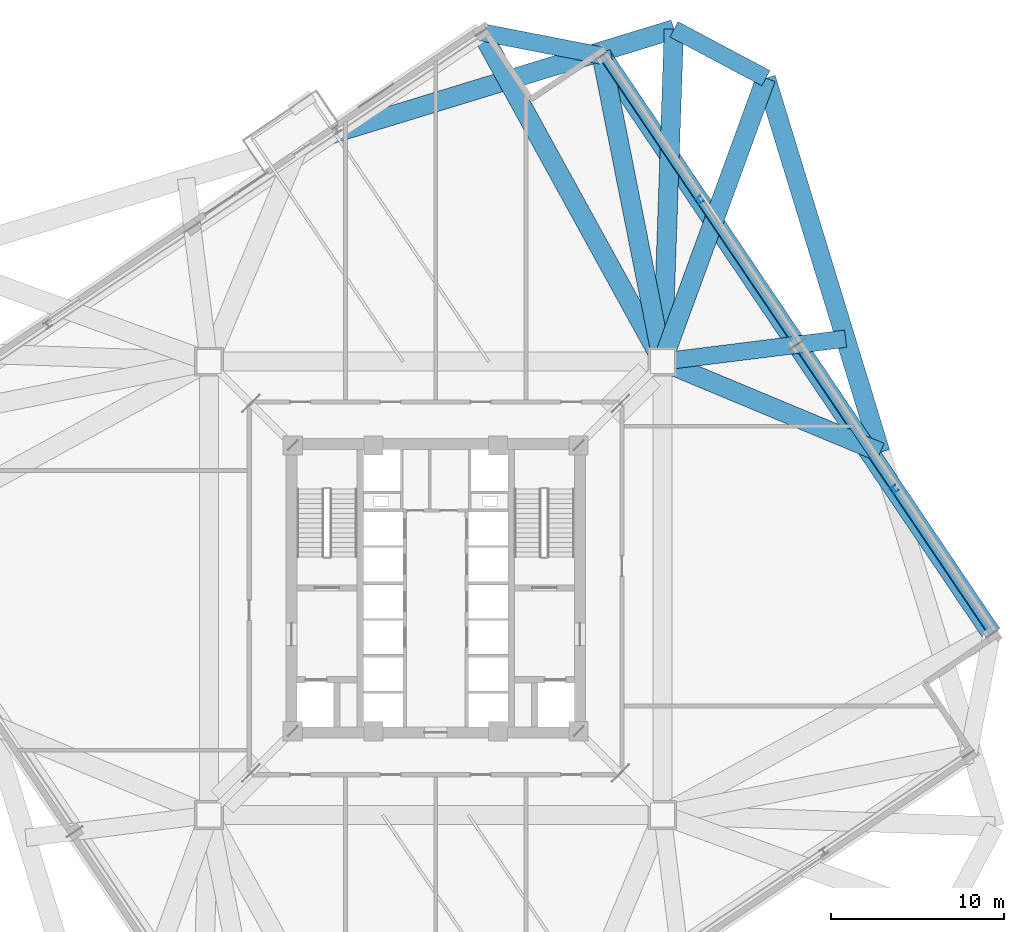
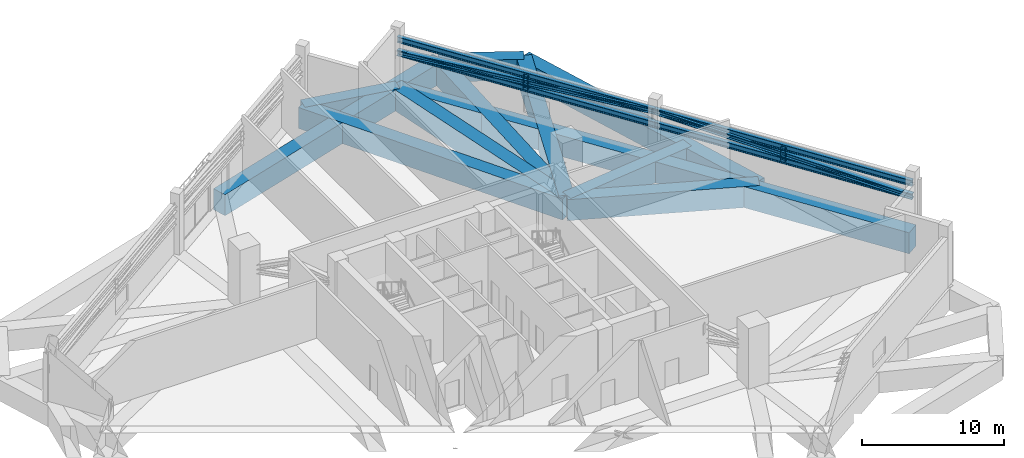
# One storey, part 10 of 21: 12 beams, 8 members.
"""IFC4 building model written with IfcOpenShell, lengths in metres."""

from ifc_helpers import new_model, si_unit, direction, frame, origin, origin_2d, place, context, subcontext, project, spatial, rectangle, i_section, extrude, source, transform, mapped, material, material_profile, profile_set, type_object, element, save


model = new_model("IFC4")

# Units and contexts
model_context = context("Model", 3, precision=1e-05, world=origin(), true_north=direction((0.0, 1.0)))
body_context = subcontext(model_context, "Body", "Model", "MODEL_VIEW")
ifc_project = project(units=[si_unit("LENGTHUNIT", "METRE"), si_unit("AREAUNIT", "SQUARE_METRE"), si_unit("VOLUMEUNIT", "CUBIC_METRE"), si_unit("PLANEANGLEUNIT", "RADIAN"), si_unit("MASSUNIT", "GRAM", prefix="KILO"), si_unit("THERMODYNAMICTEMPERATUREUNIT", "KELVIN")], contexts=[model_context])

# Site, building, storey
site_placement = place(None, origin())
site = spatial("IfcSite", under=ifc_project, at=site_placement, CompositionType="ELEMENT")
building_placement = place(site_placement, origin())
building = spatial("IfcBuilding", under=site, at=building_placement, Name="Kosmvard Interchange Tower", CompositionType="ELEMENT")
storey_placement = place(building_placement, frame((0.0, 0.0, 139.199951171875)))
storey = spatial("IfcBuildingStorey", under=building, at=storey_placement, Name="L33", CompositionType="ELEMENT", Elevation=139.199951171875)

# Beams
ifc_material_1 = material(Name="Concrete C60/75", Category="concrete")
ifc_material_profile_1 = material_profile(ifc_material_1, rectangle(XDim=1.1201171875, YDim=1.800048828125, at=origin_2d()), Name="TG 1120x1800")
ifc_profile_set_1 = profile_set([ifc_material_profile_1], Name="Concrete C60/75")
beam_type_1 = type_object("IfcBeamType", Name="Zone Long-Span Transfer Girder 1120x1800 C60/75", PredefinedType="USERDEFINED", material=ifc_profile_set_1)
shared_shape_1 = source(origin(), body_context, "Body", "SweptSolid", [
    extrude(rectangle(XDim=1.1201171875, YDim=1.800048828125, at=origin_2d()), origin(), (0.0, 0.0, 1.0), 19.18359375),
])
beam_1_placement = place(storey_placement, frame((13.0810546875, 13.0810546875, -0.89990234375), z_axis=(0.034641549738, 0.999399801397, 0.0), x_axis=(-0.999399801397, 0.034641549738, 0.0)))
element("IfcBeam", 1, at=beam_1_placement, inside=storey, type_object=beam_type_1, Name="BM-L33-LD07", ObjectType="TRANSFER_GIRDER", PredefinedType="USERDEFINED", context=body_context, shape_type="MappedRepresentation", body=[
    mapped(shared_shape_1, transform((0.0, 0.0, 0.0), scale=1.0)),
])
shared_shape_2 = source(origin(), body_context, "Body", "SweptSolid", [
    extrude(rectangle(XDim=1.1201171875, YDim=1.800048828125, at=origin_2d()), origin(), (0.0, 0.0, 1.0), 22.57470703125),
])
beam_2_placement = place(storey_placement, frame((13.74560546875, 32.253173828125, -0.89990234375), z_axis=(-0.956303368768, -0.292376241995, 0.0), x_axis=(0.292376241995, -0.956303368768, 0.0)))
element("IfcBeam", 2, at=beam_2_placement, inside=storey, type_object=beam_type_1, Name="BM-L33-LR07", ObjectType="TRANSFER_GIRDER", PredefinedType="USERDEFINED", context=body_context, shape_type="MappedRepresentation", body=[
    mapped(shared_shape_2, transform((0.0, 0.0, 0.0), scale=1.0)),
])
shared_shape_3 = source(origin(), body_context, "Body", "SweptSolid", [
    extrude(rectangle(XDim=1.1201171875, YDim=1.800048828125, at=origin_2d()), origin(), (0.0, 0.0, 1.0), 22.574951171875),
])
beam_3_placement = place(storey_placement, frame((25.65283203125, 7.8427734375, -0.89990234375), z_axis=(-0.292373218222, 0.956304293239, 0.0), x_axis=(-0.956304293239, -0.292373218222, 0.0)))
element("IfcBeam", 3, at=beam_3_placement, inside=storey, type_object=beam_type_1, Name="BM-L33-LR05", ObjectType="TRANSFER_GIRDER", PredefinedType="USERDEFINED", context=body_context, shape_type="MappedRepresentation", body=[
    mapped(shared_shape_3, transform((0.0, 0.0, 0.0), scale=1.0)),
])
shared_shape_4 = source(origin(), body_context, "Body", "SweptSolid", [
    extrude(rectangle(XDim=1.1201171875, YDim=1.800048828125, at=origin_2d()), origin(), (0.0, 0.0, 1.0), 17.40673828125),
])
beam_4_placement = place(storey_placement, frame((13.0810546875, 13.0810546875, -0.89990234375), z_axis=(0.343054696491, 0.939315429031, 0.0), x_axis=(-0.939315429031, 0.343054696491, 0.0)))
element("IfcBeam", 4, at=beam_4_placement, inside=storey, type_object=beam_type_1, Name="BM-L33-LD06", ObjectType="TRANSFER_GIRDER", PredefinedType="USERDEFINED", context=body_context, shape_type="MappedRepresentation", body=[
    mapped(shared_shape_4, transform((0.0, 0.0, 0.0), scale=1.0)),
])
ifc_material_profile_2 = material_profile(ifc_material_1, rectangle(XDim=1.0, YDim=1.800048828125, at=origin_2d()), Name="TG 1000x1800")
ifc_profile_set_2 = profile_set([ifc_material_profile_2], Name="Concrete C60/75")
beam_type_2 = type_object("IfcBeamType", Name="Zone Transfer Ring Girder 1000x1800 C60/75", PredefinedType="USERDEFINED", material=ifc_profile_set_2)
shared_shape_5 = source(origin(), body_context, "Body", "SweptSolid", [
    extrude(rectangle(XDim=1.0, YDim=1.800048828125, at=origin_2d()), origin(), (0.0, 0.0, 1.0), 6.010498046875),
])
beam_5_placement = place(storey_placement, frame((19.052490234375, 29.431396484375, -0.89990234375), z_axis=(-0.882943685114, 0.469478912111, 0.0), x_axis=(-0.469478912111, -0.882943685114, 0.0)))
element("IfcBeam", 5, at=beam_5_placement, inside=storey, type_object=beam_type_2, Name="BM-L33-LR06", ObjectType="TRANSFER_GIRDER", PredefinedType="USERDEFINED", context=body_context, shape_type="MappedRepresentation", body=[
    mapped(shared_shape_5, transform((0.0, 0.0, 0.0), scale=1.0)),
])

# Members
ifc_material_2 = material(Name="Steel S460", Category="steel")
ifc_material_profile_3 = material_profile(ifc_material_2, i_section(OverallWidth=0.3759765625, OverallDepth=0.386962890625, WebThickness=0.01953125, FlangeThickness=0.031982421875, FilletRadius=0.014892578125, at=origin_2d()), Name="HD 360x329")
ifc_profile_set_3 = profile_set([ifc_material_profile_3], Name="Steel S460")
member_type_1 = type_object("IfcMemberType", Name="Belt Truss Vertical Post HD 360x329 S460", PredefinedType="STUD", material=ifc_profile_set_3)
shared_shape_6 = source(origin(), body_context, "Body", "SweptSolid", [
    extrude(i_section(OverallWidth=0.3759765625, OverallDepth=0.386962890625, WebThickness=0.01953125, FlangeThickness=0.031982421875, FilletRadius=0.014892578125, at=origin_2d()), origin(), (0.0, 0.0, 1.0), 1.139892578125),
])
for number, where, z_axis, x_axis, name in (
    (6, (26.45654296875, 5.70751953125, 2.820068359375), (0.0, 0.0, 1.0), (0.829037572555, 0.559192903471, 0.0), "L33 Belt Truss Post E1"),
    (7, (15.20263671875, 22.391845703125, 2.820068359375), (0.0, 0.0, 1.0), (0.829037572555, 0.559192903471, 0.0), "L33 Belt Truss Post E2"),
):
    element("IfcMember", number, at=place(storey_placement, frame(where, z_axis=z_axis, x_axis=x_axis)), inside=storey, type_object=member_type_1, Name=name, PredefinedType="STUD", context=body_context, shape_type="MappedRepresentation", body=[
        mapped(shared_shape_6, transform((0.0, 0.0, 0.0), scale=1.0)),
    ])

# Beams
shared_shape_7 = source(origin(), body_context, "Body", "SweptSolid", [
    extrude(rectangle(XDim=1.1201171875, YDim=1.800048828125, at=origin_2d()), origin(), (0.0, 0.0, 1.0), 13.619384765625),
])
beam_6_placement = place(storey_placement, frame((13.0810546875, 13.0810546875, -0.89990234375), z_axis=(0.92307586237, -0.384617930303, 0.0), x_axis=(0.384617930303, 0.92307586237, 0.0)))
element("IfcBeam", 8, at=beam_6_placement, inside=storey, type_object=beam_type_1, Name="BM-L33-LD05", ObjectType="TRANSFER_GIRDER", PredefinedType="USERDEFINED", context=body_context, shape_type="MappedRepresentation", body=[
    mapped(shared_shape_7, transform((0.0, 0.0, 0.0), scale=1.0)),
])
shared_shape_8 = source(origin(), body_context, "Body", "SweptSolid", [
    extrude(rectangle(XDim=1.1201171875, YDim=1.800048828125, at=origin_2d()), origin(), (0.0, 0.0, 1.0), 21.684326171875),
])
beam_7_placement = place(storey_placement, frame((13.0810546875, 13.0810546875, -0.89990234375), z_axis=(-0.48174456271, 0.876311689012, 0.0), x_axis=(-0.876311689012, -0.48174456271, 0.0)))
element("IfcBeam", 9, at=beam_7_placement, inside=storey, type_object=beam_type_1, Name="BM-L33-RD07", ObjectType="TRANSFER_GIRDER", PredefinedType="USERDEFINED", context=body_context, shape_type="MappedRepresentation", body=[
    mapped(shared_shape_8, transform((0.0, 0.0, 0.0), scale=1.0)),
])
shared_shape_9 = source(origin(), body_context, "Body", "SweptSolid", [
    extrude(rectangle(XDim=1.1201171875, YDim=1.800048828125, at=origin_2d()), origin(), (0.0, 0.0, 1.0), 20.125),
])
for number, where, z_axis, x_axis, name in (
    (10, (32.083251953125, -2.634765625, -0.89990234375), (-0.559185299051, 0.82904270175, 0.0), (-0.82904270175, -0.559185299051, 0.0), "BM-L33-PR04"),
    (11, (20.82958984375, 14.0498046875, -0.89990234375), (-0.559190922956, 0.829038908426, 0.0), (-0.829038908426, -0.559190922956, 0.0), "BM-L33-PR05"),
):
    element("IfcBeam", number, at=place(storey_placement, frame(where, z_axis=z_axis, x_axis=x_axis)), inside=storey, type_object=beam_type_1, Name=name, ObjectType="TRANSFER_GIRDER", PredefinedType="USERDEFINED", context=body_context, shape_type="MappedRepresentation", body=[
        mapped(shared_shape_9, transform((0.0, 0.0, 0.0), scale=1.0)),
    ])
shared_shape_10 = source(origin(), body_context, "Body", "SweptSolid", [
    extrude(rectangle(XDim=1.0, YDim=1.800048828125, at=origin_2d()), origin(), (0.0, 0.0, 1.0), 10.648681640625),
])
beam_8_placement = place(storey_placement, frame((13.0810546875, 13.0810546875, -0.89990234375), z_axis=(0.992275054688, 0.124057308709, 0.0), x_axis=(-0.124057308709, 0.992275054688, 0.0)))
element("IfcBeam", 12, at=beam_8_placement, inside=storey, type_object=beam_type_2, Name="BM-L33-RD05", ObjectType="TRANSFER_GIRDER", PredefinedType="USERDEFINED", context=body_context, shape_type="MappedRepresentation", body=[
    mapped(shared_shape_10, transform((0.0, 0.0, 0.0), scale=1.0)),
])
shared_shape_11 = source(origin(), body_context, "Body", "SweptSolid", [
    extrude(rectangle(XDim=1.1201171875, YDim=1.800048828125, at=origin_2d()), origin(), (0.0, 0.0, 1.0), 18.232421875),
])
beam_9_placement = place(storey_placement, frame((13.0810546875, 13.0810546875, -0.89990234375), z_axis=(-0.194764028779, 0.980850127743, 0.0), x_axis=(-0.980850127743, -0.194764028779, 0.0)))
element("IfcBeam", 13, at=beam_9_placement, inside=storey, type_object=beam_type_1, Name="BM-L33-RD06", ObjectType="TRANSFER_GIRDER", PredefinedType="USERDEFINED", context=body_context, shape_type="MappedRepresentation", body=[
    mapped(shared_shape_11, transform((0.0, 0.0, 0.0), scale=1.0)),
])
shared_shape_12 = source(origin(), body_context, "Body", "SweptSolid", [
    extrude(rectangle(XDim=1.0, YDim=1.800048828125, at=origin_2d()), origin(), (0.0, 0.0, 1.0), 7.071044921875),
])
beam_10_placement = place(storey_placement, frame((9.575927734375, 30.734130859375, -0.89990234375), z_axis=(-0.981629941956, 0.190794803533, 0.0), x_axis=(-0.190794803533, -0.981629941956, 0.0)))
element("IfcBeam", 14, at=beam_10_placement, inside=storey, type_object=beam_type_2, Name="BM-L33-PR06", ObjectType="TRANSFER_GIRDER", PredefinedType="USERDEFINED", context=body_context, shape_type="MappedRepresentation", body=[
    mapped(shared_shape_12, transform((0.0, 0.0, 0.0), scale=1.0)),
])

# Members
ifc_material_profile_4 = material_profile(ifc_material_2, i_section(OverallWidth=0.300048828125, OverallDepth=0.5, WebThickness=0.014404296875, FlangeThickness=0.028076171875, FilletRadius=0.027099609375, at=origin_2d()), Name="HEB 500")
ifc_profile_set_4 = profile_set([ifc_material_profile_4], Name="Steel S460")
member_type_2 = type_object("IfcMemberType", Name="Belt Truss Chord HEB 500 S460", PredefinedType="CHORD", material=ifc_profile_set_4)
shared_shape_13 = source(origin(), body_context, "Body", "SweptSolid", [
    extrude(i_section(OverallWidth=0.300048828125, OverallDepth=0.5, WebThickness=0.014404296875, FlangeThickness=0.028076171875, FilletRadius=0.027099609375, at=origin_2d()), origin(), (0.0, 0.0, 1.0), 20.125),
])
for number, where, z_axis, x_axis, name in (
    (15, (32.083251953125, -2.634765625, 2.820068359375), (-0.559185299051, 0.82904270175, 0.0), (-0.82904270175, -0.559185299051, 0.0), "L33 Belt Truss Bottom Chord E1"),
    (16, (32.083251953125, -2.634765625, 3.9599609375), (-0.559185299051, 0.82904270175, 0.0), (-0.82904270175, -0.559185299051, 0.0), "L33 Belt Truss Top Chord E1"),
    (17, (20.82958984375, 14.0498046875, 2.820068359375), (-0.559190922956, 0.829038908426, 0.0), (-0.829038908426, -0.559190922956, 0.0), "L33 Belt Truss Bottom Chord E2"),
    (18, (20.82958984375, 14.0498046875, 3.9599609375), (-0.559190922956, 0.829038908426, 0.0), (-0.829038908426, -0.559190922956, 0.0), "L33 Belt Truss Top Chord E2"),
):
    element("IfcMember", number, at=place(storey_placement, frame(where, z_axis=z_axis, x_axis=x_axis)), inside=storey, type_object=member_type_2, Name=name, PredefinedType="CHORD", context=body_context, shape_type="MappedRepresentation", body=[
        mapped(shared_shape_13, transform((0.0, 0.0, 0.0), scale=1.0)),
    ])
ifc_material_profile_5 = material_profile(ifc_material_2, i_section(OverallWidth=0.406005859375, OverallDepth=0.416015625, WebThickness=0.021484375, FlangeThickness=0.034912109375, FilletRadius=0.014892578125, at=origin_2d()), Name="HD 400x382")
ifc_profile_set_5 = profile_set([ifc_material_profile_5], Name="Steel S460")
member_type_3 = type_object("IfcMemberType", Name="Perimeter Belt Truss Diagonal HD 400x382 S460", PredefinedType="BRACE", material=ifc_profile_set_5)
shared_shape_14 = source(origin(), body_context, "Body", "SweptSolid", [
    extrude(i_section(OverallWidth=0.406005859375, OverallDepth=0.416015625, WebThickness=0.021484375, FlangeThickness=0.034912109375, FilletRadius=0.014892578125, at=origin_2d()), origin(), (0.0, 0.0, 1.0), 20.157470703125),
])
member_1_placement = place(storey_placement, frame((32.083251953125, -2.634765625, 2.820068359375), z_axis=(-0.558290482664, 0.827716055652, 0.056549696574), x_axis=(-0.82904270175, -0.559185299051, 0.0)))
element("IfcMember", 19, at=member_1_placement, inside=storey, type_object=member_type_3, Name="L33 Belt Truss Diagonal E1", PredefinedType="BRACE", context=body_context, shape_type="MappedRepresentation", body=[
    mapped(shared_shape_14, transform((0.0, 0.0, 0.0), scale=1.0)),
])
shared_shape_15 = source(origin(), body_context, "Body", "SweptSolid", [
    extrude(i_section(OverallWidth=0.406005859375, OverallDepth=0.416015625, WebThickness=0.021484375, FlangeThickness=0.034912109375, FilletRadius=0.014892578125, at=origin_2d()), origin(), (0.0, 0.0, 1.0), 20.1572265625),
])
member_2_placement = place(storey_placement, frame((9.575927734375, 30.734130859375, 2.820068359375), z_axis=(0.558296079613, -0.827712241777, 0.056550263493), x_axis=(0.829038908426, 0.559190922956, 0.0)))
element("IfcMember", 20, at=member_2_placement, inside=storey, type_object=member_type_3, Name="L33 Belt Truss Diagonal E2", PredefinedType="BRACE", context=body_context, shape_type="MappedRepresentation", body=[
    mapped(shared_shape_15, transform((0.0, 0.0, 0.0), scale=1.0)),
])

save(model, "model.ifc")
